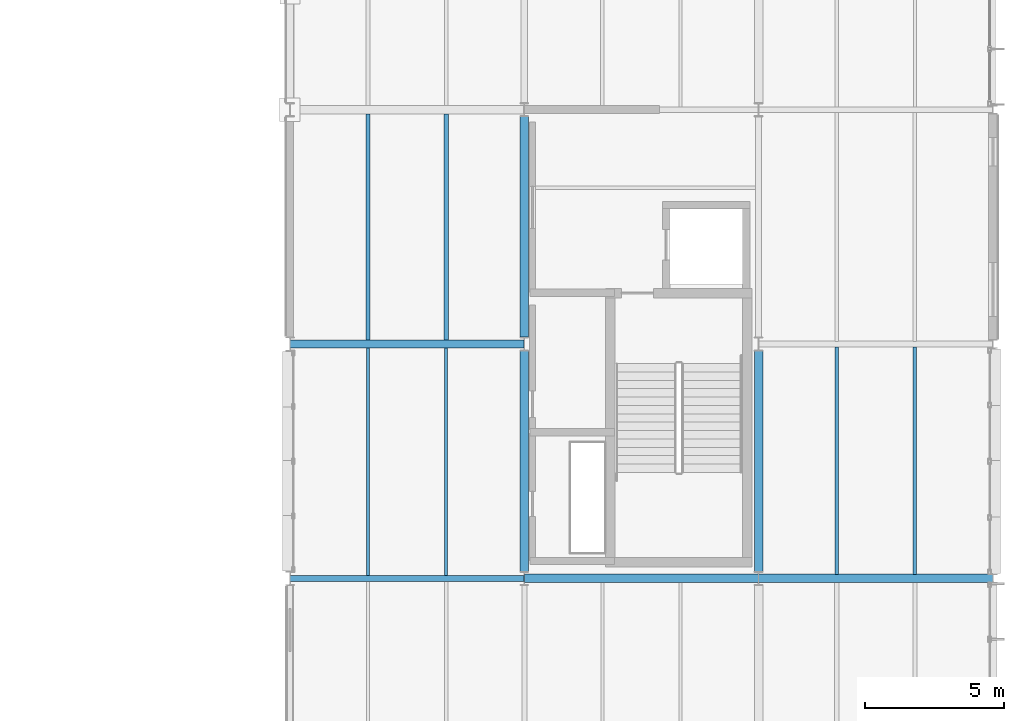
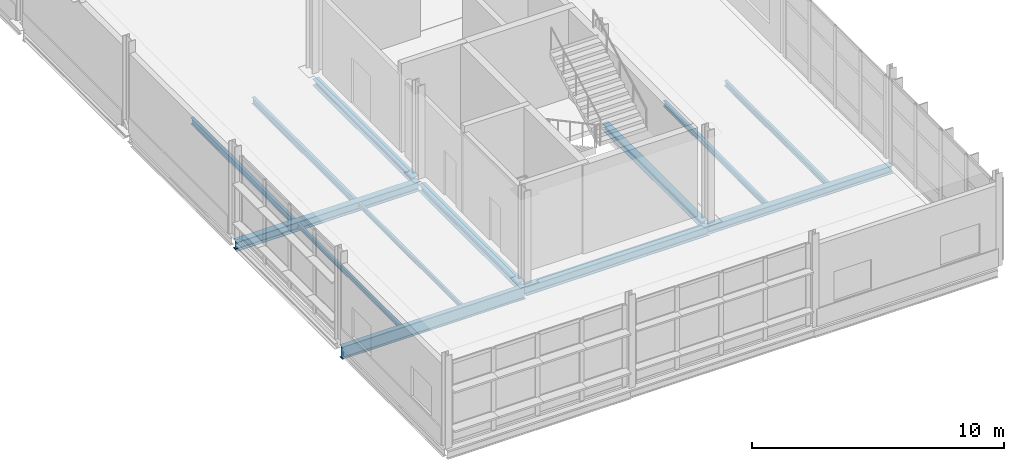
# One storey, part 68 of 129: 13 beams.
"""IFC4 building model written with IfcOpenShell, lengths in metres."""

from ifc_helpers import new_model, si_unit, direction, frame, origin, origin_2d, place, context, subcontext, project, spatial, i_section, extrude, material, material_profile, profile_set, type_object, element, save


model = new_model("IFC4")

# Units and contexts
model_context = context("Model", 3, precision=1e-05, world=origin(), true_north=direction((0.0, 1.0)))
body_context = subcontext(model_context, "Body", "Model", "MODEL_VIEW")
ifc_project = project(units=[si_unit("LENGTHUNIT", "METRE"), si_unit("AREAUNIT", "SQUARE_METRE"), si_unit("VOLUMEUNIT", "CUBIC_METRE"), si_unit("PLANEANGLEUNIT", "RADIAN"), si_unit("MASSUNIT", "GRAM", prefix="KILO")], contexts=[model_context])

# Site, building, storey
site_placement = place(None, origin())
site = spatial("IfcSite", under=ifc_project, at=site_placement, CompositionType="ELEMENT")
building_placement = place(site_placement, origin())
building = spatial("IfcBuilding", under=site, at=building_placement, Name="Mersafa Astral City Hall", CompositionType="ELEMENT")
storey_placement = place(building_placement, frame((0.0, 0.0, 5.39990234375)))
storey = spatial("IfcBuildingStorey", under=building, at=storey_placement, Name="L01", CompositionType="ELEMENT", Elevation=5.39990234375)

# Beams
ifc_material = material(Name="Steel S355", Category="steel")
ifc_material_profile_1 = material_profile(ifc_material, i_section(OverallWidth=0.300048828125, OverallDepth=0.31005859375, WebThickness=0.009033203125, FlangeThickness=0.015380859375, FilletRadius=0.027099609375, at=origin_2d()), Name="HEA 320")
ifc_profile_set_1 = profile_set([ifc_material_profile_1], Name="Steel S355")
beam_type_1 = type_object("IfcBeamType", Name="STR-BM-HEA320", PredefinedType="BEAM", material=ifc_profile_set_1)
beam_1_placement = place(storey_placement, frame((168.0, 59.044921875, -0.3798828125), z_axis=(0.0, 1.0, 0.0), x_axis=(-1.0, 0.0, 0.0)))
element("IfcBeam", 1, at=beam_1_placement, inside=storey, type_object=beam_type_1, Name="L01 Primary girder Y 20-7", PredefinedType="BEAM", context=body_context, shape_type="SweptSolid", body=[
    extrude(i_section(OverallWidth=0.300048828125, OverallDepth=0.31005859375, WebThickness=0.009033203125, FlangeThickness=0.015380859375, FilletRadius=0.027099609375, at=origin_2d()), origin(), (0.0, 0.0, 1.0), 7.91015625),
])
beam_2_placement = place(storey_placement, frame((176.39990234375, 50.64501953125, -0.3798828125), z_axis=(0.0, 1.0, 0.0), x_axis=(-1.0, 0.0, 0.0)))
element("IfcBeam", 2, at=beam_2_placement, inside=storey, type_object=beam_type_1, Name="L01 Primary girder Y 21-6", PredefinedType="BEAM", context=body_context, shape_type="SweptSolid", body=[
    extrude(i_section(OverallWidth=0.300048828125, OverallDepth=0.31005859375, WebThickness=0.009033203125, FlangeThickness=0.015380859375, FilletRadius=0.027099609375, at=origin_2d()), origin(), (0.0, 0.0, 1.0), 7.909912109375),
])
ifc_material_profile_2 = material_profile(ifc_material, i_section(OverallWidth=0.300048828125, OverallDepth=0.35009765625, WebThickness=0.010009765625, FlangeThickness=0.017578125, FilletRadius=0.027099609375, at=origin_2d()), Name="HEA 360")
ifc_profile_set_2 = profile_set([ifc_material_profile_2], Name="Steel S355")
beam_type_2 = type_object("IfcBeamType", Name="STR-BM-HEA360", PredefinedType="BEAM", material=ifc_profile_set_2)
beam_3_placement = place(storey_placement, frame((168.0, 50.64501953125, -0.39990234375), z_axis=(0.0, 1.0, 0.0), x_axis=(-1.0, 0.0, 0.0)))
element("IfcBeam", 3, at=beam_3_placement, inside=storey, type_object=beam_type_2, Name="L01 Primary girder Y 20-6", PredefinedType="BEAM", context=body_context, shape_type="SweptSolid", body=[
    extrude(i_section(OverallWidth=0.300048828125, OverallDepth=0.35009765625, WebThickness=0.010009765625, FlangeThickness=0.017578125, FilletRadius=0.027099609375, at=origin_2d()), origin(), (0.0, 0.0, 1.0), 7.909912109375),
])
ifc_material_profile_3 = material_profile(ifc_material, i_section(OverallWidth=0.300048828125, OverallDepth=0.389892578125, WebThickness=0.010986328125, FlangeThickness=0.01904296875, FilletRadius=0.027099609375, at=origin_2d()), Name="HEA 400")
ifc_profile_set_3 = profile_set([ifc_material_profile_3], Name="Steel S355")
beam_type_3 = type_object("IfcBeamType", Name="STR-BM-HEA400", PredefinedType="BEAM", material=ifc_profile_set_3)
beam_4_placement = place(storey_placement, frame((176.403076171875, 50.39990234375, -0.419921875), z_axis=(1.0, 0.0, 0.0), x_axis=(0.0, 1.0, 0.0)))
element("IfcBeam", 4, at=beam_4_placement, inside=storey, type_object=beam_type_3, Name="L01 Primary girder X 21-6", PredefinedType="BEAM", context=body_context, shape_type="SweptSolid", body=[
    extrude(i_section(OverallWidth=0.300048828125, OverallDepth=0.389892578125, WebThickness=0.010986328125, FlangeThickness=0.01904296875, FilletRadius=0.027099609375, at=origin_2d()), origin(), (0.0, 0.0, 1.0), 8.39404296875),
])
ifc_material_profile_4 = material_profile(ifc_material, i_section(OverallWidth=0.300048828125, OverallDepth=0.43994140625, WebThickness=0.011474609375, FlangeThickness=0.02099609375, FilletRadius=0.027099609375, at=origin_2d()), Name="HEA 450")
ifc_profile_set_4 = profile_set([ifc_material_profile_4], Name="Steel S355")
beam_type_4 = type_object("IfcBeamType", Name="STR-BM-HEA450", PredefinedType="BEAM", material=ifc_profile_set_4)
for number, where, z_axis, x_axis, name in (
    (5, (168.0029296875, 50.39990234375, -0.44482421875), (1.0, 0.0, 0.0), (0.0, 1.0, 0.0), "L01 Primary girder X 20-6"),
    (6, (159.60302734375, 58.800048828125, -0.44482421875), (1.0, 0.0, 0.0), (0.0, 1.0, 0.0), "L01 Primary girder X 19-7"),
):
    element("IfcBeam", number, at=place(storey_placement, frame(where, z_axis=z_axis, x_axis=x_axis)), inside=storey, type_object=beam_type_4, Name=name, PredefinedType="BEAM", context=body_context, shape_type="SweptSolid", body=[
        extrude(i_section(OverallWidth=0.300048828125, OverallDepth=0.43994140625, WebThickness=0.011474609375, FlangeThickness=0.02099609375, FilletRadius=0.027099609375, at=origin_2d()), origin(), (0.0, 0.0, 1.0), 8.39404296875),
    ])
ifc_material_profile_5 = material_profile(ifc_material, i_section(OverallWidth=0.219970703125, OverallDepth=0.60009765625, WebThickness=0.011962890625, FlangeThickness=0.01904296875, FilletRadius=0.02392578125, at=origin_2d()), Name="IPE 600")
ifc_profile_set_5 = profile_set([ifc_material_profile_5], Name="Steel S355")
beam_type_5 = type_object("IfcBeamType", Name="STR-BM-IPE600", PredefinedType="BEAM", material=ifc_profile_set_5)
beam_5_placement = place(storey_placement, frame((159.60302734375, 50.39990234375, -0.52490234375), z_axis=(1.0, 0.0, 0.0), x_axis=(0.0, 1.0, 0.0)))
element("IfcBeam", 7, at=beam_5_placement, inside=storey, type_object=beam_type_5, Name="L01 Primary girder X 19-6", PredefinedType="BEAM", context=body_context, shape_type="SweptSolid", body=[
    extrude(i_section(OverallWidth=0.219970703125, OverallDepth=0.60009765625, WebThickness=0.011962890625, FlangeThickness=0.01904296875, FilletRadius=0.02392578125, at=origin_2d()), origin(), (0.0, 0.0, 1.0), 8.39404296875),
])
ifc_material_profile_6 = material_profile(ifc_material, i_section(OverallWidth=0.110107421875, OverallDepth=0.219970703125, WebThickness=0.005859375, FlangeThickness=0.00927734375, FilletRadius=0.011962890625, at=origin_2d()), Name="IPE 220")
ifc_profile_set_6 = profile_set([ifc_material_profile_6], Name="Steel S355")
beam_type_6 = type_object("IfcBeamType", Name="STR-BM-JOIST-IPE220", PredefinedType="JOIST", material=ifc_profile_set_6)
for number, where, z_axis, x_axis, name in (
    (8, (162.39990234375, 50.5048828125, -0.3349609375), (0.0, 1.0, 0.0), (-1.0, 0.0, 0.0), "L01 Composite secondary floor joist 360"),
    (9, (165.199951171875, 50.5048828125, -0.3349609375), (0.0, 1.0, 0.0), (-1.0, 0.0, 0.0), "L01 Composite secondary floor joist 361"),
):
    element("IfcBeam", number, at=place(storey_placement, frame(where, z_axis=z_axis, x_axis=x_axis)), inside=storey, type_object=beam_type_6, Name=name, PredefinedType="JOIST", context=body_context, shape_type="SweptSolid", body=[
        extrude(i_section(OverallWidth=0.110107421875, OverallDepth=0.219970703125, WebThickness=0.005859375, FlangeThickness=0.00927734375, FilletRadius=0.011962890625, at=origin_2d()), origin(), (0.0, 0.0, 1.0), 8.150146484375),
    ])
ifc_material_profile_7 = material_profile(ifc_material, i_section(OverallWidth=0.135009765625, OverallDepth=0.27001953125, WebThickness=0.006591796875, FlangeThickness=0.01025390625, FilletRadius=0.014892578125, at=origin_2d()), Name="IPE 270")
ifc_profile_set_7 = profile_set([ifc_material_profile_7], Name="Steel S355")
beam_type_7 = type_object("IfcBeamType", Name="STR-BM-JOIST-IPE270", PredefinedType="JOIST", material=ifc_profile_set_7)
for number, where, z_axis, x_axis, name in (
    (10, (179.199951171875, 50.544921875, -0.35986328125), (0.0, 1.0, 0.0), (-1.0, 0.0, 0.0), "L01 Composite secondary floor joist 391"),
    (11, (182.0, 50.544921875, -0.35986328125), (0.0, 1.0, 0.0), (-1.0, 0.0, 0.0), "L01 Composite secondary floor joist 392"),
):
    element("IfcBeam", number, at=place(storey_placement, frame(where, z_axis=z_axis, x_axis=x_axis)), inside=storey, type_object=beam_type_7, Name=name, PredefinedType="JOIST", context=body_context, shape_type="SweptSolid", body=[
        extrude(i_section(OverallWidth=0.135009765625, OverallDepth=0.27001953125, WebThickness=0.006591796875, FlangeThickness=0.01025390625, FilletRadius=0.014892578125, at=origin_2d()), origin(), (0.0, 0.0, 1.0), 8.155029296875),
    ])
ifc_material_profile_8 = material_profile(ifc_material, i_section(OverallWidth=0.14990234375, OverallDepth=0.300048828125, WebThickness=0.007080078125, FlangeThickness=0.0107421875, FilletRadius=0.014892578125, at=origin_2d()), Name="IPE 300")
ifc_profile_set_8 = profile_set([ifc_material_profile_8], Name="Steel S355")
beam_type_8 = type_object("IfcBeamType", Name="STR-BM-JOIST-IPE300", PredefinedType="JOIST", material=ifc_profile_set_8)
for number, where, z_axis, x_axis, name in (
    (12, (162.39990234375, 58.945068359375, -0.375), (0.0, 1.0, 0.0), (-1.0, 0.0, 0.0), "L01 Composite secondary floor joist 362"),
    (13, (165.199951171875, 58.945068359375, -0.375), (0.0, 1.0, 0.0), (-1.0, 0.0, 0.0), "L01 Composite secondary floor joist 363"),
):
    element("IfcBeam", number, at=place(storey_placement, frame(where, z_axis=z_axis, x_axis=x_axis)), inside=storey, type_object=beam_type_8, Name=name, PredefinedType="JOIST", context=body_context, shape_type="SweptSolid", body=[
        extrude(i_section(OverallWidth=0.14990234375, OverallDepth=0.300048828125, WebThickness=0.007080078125, FlangeThickness=0.0107421875, FilletRadius=0.014892578125, at=origin_2d()), origin(), (0.0, 0.0, 1.0), 8.10986328125),
    ])

save(model, "model.ifc")
